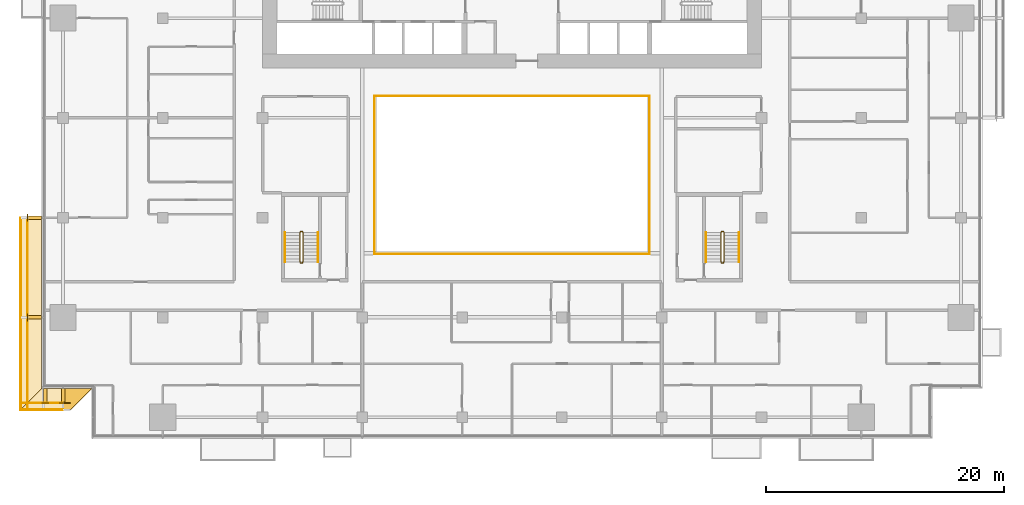
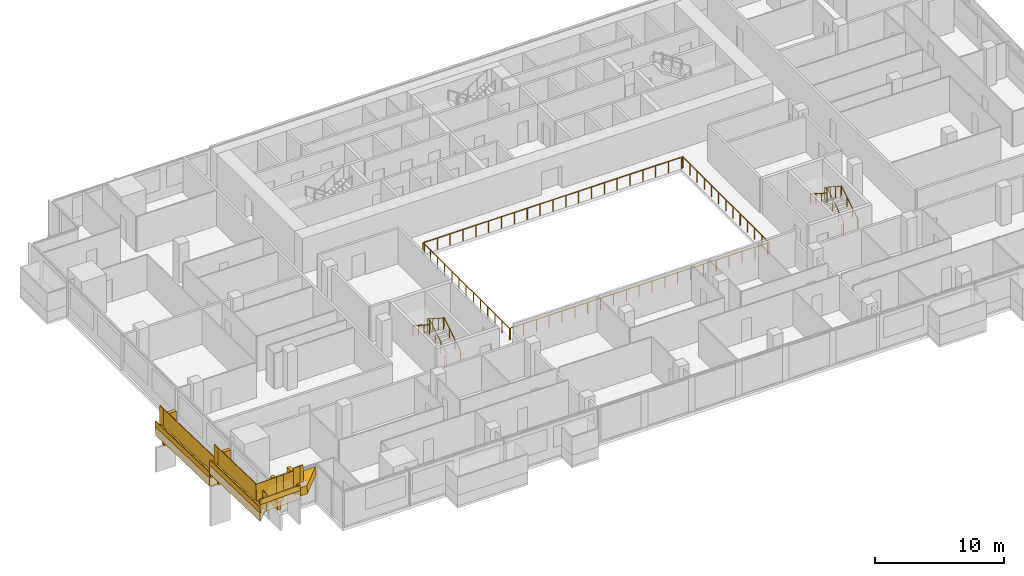
# One storey, part 26 of 29: 18 railings, 11 coverings.
"""IFC4 building model written with IfcOpenShell, lengths in metres."""

from ifc_helpers import new_model, si_unit, direction, frame, origin, origin_2d, place, context, subcontext, project, spatial, polyline, rectangle, circle, outline, extrude, material, layer, layer_set, type_object, element, save


model = new_model("IFC4")

# Units and contexts
model_context = context("Model", 3, precision=1e-05, world=origin(), true_north=direction((0.0, 1.0)))
body_context = subcontext(model_context, "Body", "Model", "MODEL_VIEW")
ifc_project = project(units=[si_unit("LENGTHUNIT", "METRE"), si_unit("AREAUNIT", "SQUARE_METRE"), si_unit("VOLUMEUNIT", "CUBIC_METRE"), si_unit("PLANEANGLEUNIT", "RADIAN"), si_unit("MASSUNIT", "GRAM", prefix="KILO")], contexts=[model_context])

# Site, building, storey
site_placement = place(None, origin())
site = spatial("IfcSite", under=ifc_project, at=site_placement, CompositionType="ELEMENT")
building_placement = place(site_placement, origin())
building = spatial("IfcBuilding", under=site, at=building_placement, Name="Saffron Gate Tower", CompositionType="ELEMENT")
storey_placement = place(building_placement, frame((0.0, 0.0, 55.199951171875)))
storey = spatial("IfcBuildingStorey", under=building, at=storey_placement, Name="L12", CompositionType="ELEMENT", Elevation=55.199951171875)

# Railings
ifc_material_1 = material(Name="Stainless steel and laminated glass", Category="steel")
railing_type_1 = type_object("IfcRailingType", Name="AG1 Atrium edge guard 1100", PredefinedType="GUARDRAIL", material=ifc_material_1)
railing_1_placement = place(storey_placement, frame((76.02001953125, 45.5400390625, 0.0)))
element("IfcRailing", 1, at=railing_1_placement, inside=storey, type_object=railing_type_1, Name="Guard A2-1", PredefinedType="GUARDRAIL", context=body_context, shape_type="SweptSolid", body=[
    extrude(circle(Radius=0.02392578125, at=origin_2d()), frame((0.0, 0.0, 1.076171875), z_axis=(0.0, 1.0, 0.0), x_axis=(-1.0, 0.0, 0.0)), (0.0, 0.0, 1.0), 13.320068359375),
    extrude(circle(Radius=0.02099609375, at=origin_2d()), origin(), (0.0, 0.0, 1.0), 1.052001953125),
    extrude(circle(Radius=0.02099609375, at=origin_2d()), frame((0.0, 1.110107421875, 0.0)), (0.0, 0.0, 1.0), 1.052001953125),
    extrude(circle(Radius=0.02099609375, at=origin_2d()), frame((0.0, 2.219970703125, 0.0)), (0.0, 0.0, 1.0), 1.052001953125),
    extrude(circle(Radius=0.02099609375, at=origin_2d()), frame((0.0, 3.330078125, 0.0)), (0.0, 0.0, 1.0), 1.052001953125),
    extrude(circle(Radius=0.02099609375, at=origin_2d()), frame((0.0, 4.43994140625, 0.0)), (0.0, 0.0, 1.0), 1.052001953125),
    extrude(circle(Radius=0.02099609375, at=origin_2d()), frame((0.0, 5.550048828125, 0.0)), (0.0, 0.0, 1.0), 1.052001953125),
    extrude(circle(Radius=0.02099609375, at=origin_2d()), frame((0.0, 6.66015625, 0.0)), (0.0, 0.0, 1.0), 1.052001953125),
    extrude(circle(Radius=0.02099609375, at=origin_2d()), frame((0.0, 7.77001953125, 0.0)), (0.0, 0.0, 1.0), 1.052001953125),
    extrude(circle(Radius=0.02099609375, at=origin_2d()), frame((0.0, 8.880126953125, 0.0)), (0.0, 0.0, 1.0), 1.052001953125),
    extrude(circle(Radius=0.02099609375, at=origin_2d()), frame((0.0, 9.989990234375, 0.0)), (0.0, 0.0, 1.0), 1.052001953125),
    extrude(circle(Radius=0.02099609375, at=origin_2d()), frame((0.0, 11.10009765625, 0.0)), (0.0, 0.0, 1.0), 1.052001953125),
    extrude(circle(Radius=0.02099609375, at=origin_2d()), frame((0.0, 12.2099609375, 0.0)), (0.0, 0.0, 1.0), 1.052001953125),
    extrude(circle(Radius=0.02099609375, at=origin_2d()), frame((0.0, 13.320068359375, 0.0)), (0.0, 0.0, 1.0), 1.052001953125),
])
railing_2_placement = place(storey_placement, frame((76.139892578125, 58.860107421875, 0.0)))
element("IfcRailing", 2, at=railing_2_placement, inside=storey, type_object=railing_type_1, Name="Guard A2-2", PredefinedType="GUARDRAIL", context=body_context, shape_type="SweptSolid", body=[
    extrude(circle(Radius=0.02392578125, at=origin_2d()), frame((0.0, 0.0, 1.076171875), z_axis=(1.0, 0.0, 0.0), x_axis=(0.0, 1.0, 0.0)), (0.0, 0.0, 1.0), 22.920166015625),
    extrude(circle(Radius=0.02099609375, at=origin_2d()), origin(), (0.0, 0.0, 1.0), 1.052001953125),
    extrude(circle(Radius=0.02099609375, at=origin_2d()), frame((1.14599609375, 0.0, 0.0)), (0.0, 0.0, 1.0), 1.052001953125),
    extrude(circle(Radius=0.02099609375, at=origin_2d()), frame((2.2919921875, 0.0, 0.0)), (0.0, 0.0, 1.0), 1.052001953125),
    extrude(circle(Radius=0.02099609375, at=origin_2d()), frame((3.43798828125, 0.0, 0.0)), (0.0, 0.0, 1.0), 1.052001953125),
    extrude(circle(Radius=0.02099609375, at=origin_2d()), frame((4.583984375, 0.0, 0.0)), (0.0, 0.0, 1.0), 1.052001953125),
    extrude(circle(Radius=0.02099609375, at=origin_2d()), frame((5.72998046875, 0.0, 0.0)), (0.0, 0.0, 1.0), 1.052001953125),
    extrude(circle(Radius=0.02099609375, at=origin_2d()), frame((6.8759765625, 0.0, 0.0)), (0.0, 0.0, 1.0), 1.052001953125),
    extrude(circle(Radius=0.02099609375, at=origin_2d()), frame((8.02197265625, 0.0, 0.0)), (0.0, 0.0, 1.0), 1.052001953125),
    extrude(circle(Radius=0.02099609375, at=origin_2d()), frame((9.16796875, 0.0, 0.0)), (0.0, 0.0, 1.0), 1.052001953125),
    extrude(circle(Radius=0.02099609375, at=origin_2d()), frame((10.31396484375, 0.0, 0.0)), (0.0, 0.0, 1.0), 1.052001953125),
    extrude(circle(Radius=0.02099609375, at=origin_2d()), frame((11.4599609375, 0.0, 0.0)), (0.0, 0.0, 1.0), 1.052001953125),
    extrude(circle(Radius=0.02099609375, at=origin_2d()), frame((12.606201171875, 0.0, 0.0)), (0.0, 0.0, 1.0), 1.052001953125),
    extrude(circle(Radius=0.02099609375, at=origin_2d()), frame((13.752197265625, 0.0, 0.0)), (0.0, 0.0, 1.0), 1.052001953125),
    extrude(circle(Radius=0.02099609375, at=origin_2d()), frame((14.898193359375, 0.0, 0.0)), (0.0, 0.0, 1.0), 1.052001953125),
    extrude(circle(Radius=0.02099609375, at=origin_2d()), frame((16.044189453125, 0.0, 0.0)), (0.0, 0.0, 1.0), 1.052001953125),
    extrude(circle(Radius=0.02099609375, at=origin_2d()), frame((17.190185546875, 0.0, 0.0)), (0.0, 0.0, 1.0), 1.052001953125),
    extrude(circle(Radius=0.02099609375, at=origin_2d()), frame((18.336181640625, 0.0, 0.0)), (0.0, 0.0, 1.0), 1.052001953125),
    extrude(circle(Radius=0.02099609375, at=origin_2d()), frame((19.482177734375, 0.0, 0.0)), (0.0, 0.0, 1.0), 1.052001953125),
    extrude(circle(Radius=0.02099609375, at=origin_2d()), frame((20.628173828125, 0.0, 0.0)), (0.0, 0.0, 1.0), 1.052001953125),
    extrude(circle(Radius=0.02099609375, at=origin_2d()), frame((21.774169921875, 0.0, 0.0)), (0.0, 0.0, 1.0), 1.052001953125),
    extrude(circle(Radius=0.02099609375, at=origin_2d()), frame((22.920166015625, 0.0, 0.0)), (0.0, 0.0, 1.0), 1.052001953125),
])
railing_3_placement = place(storey_placement, frame((99.179931640625, 58.860107421875, 0.0)))
element("IfcRailing", 3, at=railing_3_placement, inside=storey, type_object=railing_type_1, Name="Guard A2-3", PredefinedType="GUARDRAIL", context=body_context, shape_type="SweptSolid", body=[
    extrude(circle(Radius=0.02392578125, at=origin_2d()), frame((0.0, 0.0, 1.076171875), z_axis=(0.0, -1.0, 0.0), x_axis=(1.0, 0.0, 0.0)), (0.0, 0.0, 1.0), 13.320068359375),
    extrude(circle(Radius=0.02099609375, at=origin_2d()), origin(), (0.0, 0.0, 1.0), 1.052001953125),
    extrude(circle(Radius=0.02099609375, at=origin_2d()), frame((0.0, -1.110107421875, 0.0)), (0.0, 0.0, 1.0), 1.052001953125),
    extrude(circle(Radius=0.02099609375, at=origin_2d()), frame((0.0, -2.219970703125, 0.0)), (0.0, 0.0, 1.0), 1.052001953125),
    extrude(circle(Radius=0.02099609375, at=origin_2d()), frame((0.0, -3.330078125, 0.0)), (0.0, 0.0, 1.0), 1.052001953125),
    extrude(circle(Radius=0.02099609375, at=origin_2d()), frame((0.0, -4.43994140625, 0.0)), (0.0, 0.0, 1.0), 1.052001953125),
    extrude(circle(Radius=0.02099609375, at=origin_2d()), frame((0.0, -5.550048828125, 0.0)), (0.0, 0.0, 1.0), 1.052001953125),
    extrude(circle(Radius=0.02099609375, at=origin_2d()), frame((0.0, -6.66015625, 0.0)), (0.0, 0.0, 1.0), 1.052001953125),
    extrude(circle(Radius=0.02099609375, at=origin_2d()), frame((0.0, -7.77001953125, 0.0)), (0.0, 0.0, 1.0), 1.052001953125),
    extrude(circle(Radius=0.02099609375, at=origin_2d()), frame((0.0, -8.880126953125, 0.0)), (0.0, 0.0, 1.0), 1.052001953125),
    extrude(circle(Radius=0.02099609375, at=origin_2d()), frame((0.0, -9.989990234375, 0.0)), (0.0, 0.0, 1.0), 1.052001953125),
    extrude(circle(Radius=0.02099609375, at=origin_2d()), frame((0.0, -11.10009765625, 0.0)), (0.0, 0.0, 1.0), 1.052001953125),
    extrude(circle(Radius=0.02099609375, at=origin_2d()), frame((0.0, -12.2099609375, 0.0)), (0.0, 0.0, 1.0), 1.052001953125),
    extrude(circle(Radius=0.02099609375, at=origin_2d()), frame((0.0, -13.320068359375, 0.0)), (0.0, 0.0, 1.0), 1.052001953125),
])
railing_4_placement = place(storey_placement, frame((99.06005859375, 45.5400390625, 0.0)))
element("IfcRailing", 4, at=railing_4_placement, inside=storey, type_object=railing_type_1, Name="Guard A2-4", PredefinedType="GUARDRAIL", context=body_context, shape_type="SweptSolid", body=[
    extrude(circle(Radius=0.02392578125, at=origin_2d()), frame((0.0, 0.0, 1.076171875), z_axis=(-1.0, 0.0, 0.0), x_axis=(0.0, -1.0, 0.0)), (0.0, 0.0, 1.0), 22.920166015625),
    extrude(circle(Radius=0.02099609375, at=origin_2d()), origin(), (0.0, 0.0, 1.0), 1.052001953125),
    extrude(circle(Radius=0.02099609375, at=origin_2d()), frame((-1.14599609375, 0.0, 0.0)), (0.0, 0.0, 1.0), 1.052001953125),
    extrude(circle(Radius=0.02099609375, at=origin_2d()), frame((-2.2919921875, 0.0, 0.0)), (0.0, 0.0, 1.0), 1.052001953125),
    extrude(circle(Radius=0.02099609375, at=origin_2d()), frame((-3.43798828125, 0.0, 0.0)), (0.0, 0.0, 1.0), 1.052001953125),
    extrude(circle(Radius=0.02099609375, at=origin_2d()), frame((-4.583984375, 0.0, 0.0)), (0.0, 0.0, 1.0), 1.052001953125),
    extrude(circle(Radius=0.02099609375, at=origin_2d()), frame((-5.72998046875, 0.0, 0.0)), (0.0, 0.0, 1.0), 1.052001953125),
    extrude(circle(Radius=0.02099609375, at=origin_2d()), frame((-6.8759765625, 0.0, 0.0)), (0.0, 0.0, 1.0), 1.052001953125),
    extrude(circle(Radius=0.02099609375, at=origin_2d()), frame((-8.02197265625, 0.0, 0.0)), (0.0, 0.0, 1.0), 1.052001953125),
    extrude(circle(Radius=0.02099609375, at=origin_2d()), frame((-9.16796875, 0.0, 0.0)), (0.0, 0.0, 1.0), 1.052001953125),
    extrude(circle(Radius=0.02099609375, at=origin_2d()), frame((-10.31396484375, 0.0, 0.0)), (0.0, 0.0, 1.0), 1.052001953125),
    extrude(circle(Radius=0.02099609375, at=origin_2d()), frame((-11.4599609375, 0.0, 0.0)), (0.0, 0.0, 1.0), 1.052001953125),
    extrude(circle(Radius=0.02099609375, at=origin_2d()), frame((-12.606201171875, 0.0, 0.0)), (0.0, 0.0, 1.0), 1.052001953125),
    extrude(circle(Radius=0.02099609375, at=origin_2d()), frame((-13.752197265625, 0.0, 0.0)), (0.0, 0.0, 1.0), 1.052001953125),
    extrude(circle(Radius=0.02099609375, at=origin_2d()), frame((-14.898193359375, 0.0, 0.0)), (0.0, 0.0, 1.0), 1.052001953125),
    extrude(circle(Radius=0.02099609375, at=origin_2d()), frame((-16.044189453125, 0.0, 0.0)), (0.0, 0.0, 1.0), 1.052001953125),
    extrude(circle(Radius=0.02099609375, at=origin_2d()), frame((-17.190185546875, 0.0, 0.0)), (0.0, 0.0, 1.0), 1.052001953125),
    extrude(circle(Radius=0.02099609375, at=origin_2d()), frame((-18.336181640625, 0.0, 0.0)), (0.0, 0.0, 1.0), 1.052001953125),
    extrude(circle(Radius=0.02099609375, at=origin_2d()), frame((-19.482177734375, 0.0, 0.0)), (0.0, 0.0, 1.0), 1.052001953125),
    extrude(circle(Radius=0.02099609375, at=origin_2d()), frame((-20.628173828125, 0.0, 0.0)), (0.0, 0.0, 1.0), 1.052001953125),
    extrude(circle(Radius=0.02099609375, at=origin_2d()), frame((-21.774169921875, 0.0, 0.0)), (0.0, 0.0, 1.0), 1.052001953125),
    extrude(circle(Radius=0.02099609375, at=origin_2d()), frame((-22.920166015625, 0.0, 0.0)), (0.0, 0.0, 1.0), 1.052001953125),
])
railing_type_2 = type_object("IfcRailingType", Name="CR1 Stair guard 1100", PredefinedType="GUARDRAIL", material=ifc_material_1)
railing_5_placement = place(storey_placement, frame((69.800048828125, 44.800048828125, 0.0)))
element("IfcRailing", 5, at=railing_5_placement, inside=storey, type_object=railing_type_2, Name="L12 ST-D stair guard 1", PredefinedType="GUARDRAIL", context=body_context, shape_type="SweptSolid", body=[
    extrude(circle(Radius=0.02392578125, at=origin_2d()), frame((0.0, 0.0, 1.076171875), z_axis=(1.0, 0.0, 0.0), x_axis=(0.0, 1.0, 0.0)), (0.0, 0.0, 1.0), 0.14990234375),
    extrude(circle(Radius=0.02392578125, at=origin_2d()), frame((0.14990234375, 0.0, 1.076171875), z_axis=(0.258847668887, 0.258847668887, 0.930588936439), x_axis=(-0.707106781187, 0.707106781187, 0.0)), (0.0, 0.0, 1.0), 0.193359375),
    extrude(circle(Radius=0.02392578125, at=origin_2d()), frame((0.199951171875, 0.050048828125, 1.255859375), z_axis=(0.0, 0.841162588446, 0.540782303519), x_axis=(-1.0, 0.0, 0.0)), (0.0, 0.0, 1.0), 2.995849609375),
    extrude(circle(Radius=0.02392578125, at=origin_2d()), frame((0.199951171875, 2.570068359375, 2.8759765625), z_axis=(-0.708833529934, 0.705375805398, 0.0), x_axis=(-0.705375805398, -0.708833529934, 0.0)), (0.0, 0.0, 1.0), 0.070556640625),
    extrude(circle(Radius=0.02392578125, at=origin_2d()), frame((0.14990234375, 2.619873046875, 2.8759765625), z_axis=(-1.0, 0.0, 0.0), x_axis=(0.0, -1.0, 0.0)), (0.0, 0.0, 1.0), 0.14990234375),
    extrude(circle(Radius=0.02392578125, at=origin_2d()), frame((0.0, 2.619873046875, 2.8759765625), z_axis=(-0.258932105505, -0.257669022063, 0.930892496375), x_axis=(0.705375805398, -0.708833529934, 0.0)), (0.0, 0.0, 1.0), 0.193359375),
    extrude(circle(Radius=0.02392578125, at=origin_2d()), frame((-0.050048828125, 2.570068359375, 3.05615234375), z_axis=(0.0, -0.841162588446, 0.540782303519), x_axis=(1.0, 0.0, 0.0)), (0.0, 0.0, 1.0), 2.995849609375),
    extrude(circle(Radius=0.02099609375, at=origin_2d()), origin(), (0.0, 0.0, 1.0), 1.052001953125),
    extrude(circle(Radius=0.02099609375, at=origin_2d()), frame((0.14990234375, 0.0, 0.0)), (0.0, 0.0, 1.0), 1.052001953125),
    extrude(circle(Radius=0.02099609375, at=origin_2d()), frame((0.199951171875, 0.050048828125, 0.179931640625)), (0.0, 0.0, 1.0), 1.052001953125),
    extrude(circle(Radius=0.02099609375, at=origin_2d()), frame((0.199951171875, 0.89013671875, 0.719970703125)), (0.0, 0.0, 1.0), 1.052001953125),
    extrude(circle(Radius=0.02099609375, at=origin_2d()), frame((0.199951171875, 1.72998046875, 1.260009765625)), (0.0, 0.0, 1.0), 1.052001953125),
    extrude(circle(Radius=0.02099609375, at=origin_2d()), frame((0.199951171875, 2.570068359375, 1.800048828125)), (0.0, 0.0, 1.0), 1.052001953125),
    extrude(circle(Radius=0.02099609375, at=origin_2d()), frame((0.14990234375, 2.619873046875, 1.800048828125)), (0.0, 0.0, 1.0), 1.052001953125),
    extrude(circle(Radius=0.02099609375, at=origin_2d()), frame((0.0, 2.619873046875, 1.800048828125)), (0.0, 0.0, 1.0), 1.052001953125),
    extrude(circle(Radius=0.02099609375, at=origin_2d()), frame((-0.050048828125, 2.570068359375, 1.97998046875)), (0.0, 0.0, 1.0), 1.052001953125),
    extrude(circle(Radius=0.02099609375, at=origin_2d()), frame((-0.050048828125, 1.72998046875, 2.52001953125)), (0.0, 0.0, 1.0), 1.052001953125),
    extrude(circle(Radius=0.02099609375, at=origin_2d()), frame((-0.050048828125, 0.89013671875, 3.06005859375)), (0.0, 0.0, 1.0), 1.052001953125),
    extrude(circle(Radius=0.02099609375, at=origin_2d()), frame((-0.050048828125, 0.050048828125, 3.60009765625)), (0.0, 0.0, 1.0), 1.052001953125),
])
railing_6_placement = place(storey_placement, frame((105.25, 44.800048828125, 0.0)))
element("IfcRailing", 6, at=railing_6_placement, inside=storey, type_object=railing_type_2, Name="L12 ST-E stair guard 1", PredefinedType="GUARDRAIL", context=body_context, shape_type="SweptSolid", body=[
    extrude(circle(Radius=0.02392578125, at=origin_2d()), frame((0.0, 0.0, 1.076171875), z_axis=(1.0, 0.0, 0.0), x_axis=(0.0, 1.0, 0.0)), (0.0, 0.0, 1.0), 0.14990234375),
    extrude(circle(Radius=0.02392578125, at=origin_2d()), frame((0.14990234375, 0.0, 1.076171875), z_axis=(0.258847668887, 0.258847668887, 0.930588936439), x_axis=(-0.707106781187, 0.707106781187, 0.0)), (0.0, 0.0, 1.0), 0.193359375),
    extrude(circle(Radius=0.02392578125, at=origin_2d()), frame((0.199951171875, 0.050048828125, 1.255859375), z_axis=(0.0, 0.841162588446, 0.540782303519), x_axis=(-1.0, 0.0, 0.0)), (0.0, 0.0, 1.0), 2.995849609375),
    extrude(circle(Radius=0.02392578125, at=origin_2d()), frame((0.199951171875, 2.570068359375, 2.8759765625), z_axis=(-0.708833529934, 0.705375805398, 0.0), x_axis=(-0.705375805398, -0.708833529934, 0.0)), (0.0, 0.0, 1.0), 0.070556640625),
    extrude(circle(Radius=0.02392578125, at=origin_2d()), frame((0.14990234375, 2.619873046875, 2.8759765625), z_axis=(-1.0, 0.0, 0.0), x_axis=(0.0, -1.0, 0.0)), (0.0, 0.0, 1.0), 0.14990234375),
    extrude(circle(Radius=0.02392578125, at=origin_2d()), frame((0.0, 2.619873046875, 2.8759765625), z_axis=(-0.258932105505, -0.257669022063, 0.930892496375), x_axis=(0.705375805398, -0.708833529934, 0.0)), (0.0, 0.0, 1.0), 0.193359375),
    extrude(circle(Radius=0.02392578125, at=origin_2d()), frame((-0.050048828125, 2.570068359375, 3.05615234375), z_axis=(0.0, -0.841162588446, 0.540782303519), x_axis=(1.0, 0.0, 0.0)), (0.0, 0.0, 1.0), 2.995849609375),
    extrude(circle(Radius=0.02099609375, at=origin_2d()), origin(), (0.0, 0.0, 1.0), 1.052001953125),
    extrude(circle(Radius=0.02099609375, at=origin_2d()), frame((0.14990234375, 0.0, 0.0)), (0.0, 0.0, 1.0), 1.052001953125),
    extrude(circle(Radius=0.02099609375, at=origin_2d()), frame((0.199951171875, 0.050048828125, 0.179931640625)), (0.0, 0.0, 1.0), 1.052001953125),
    extrude(circle(Radius=0.02099609375, at=origin_2d()), frame((0.199951171875, 0.89013671875, 0.719970703125)), (0.0, 0.0, 1.0), 1.052001953125),
    extrude(circle(Radius=0.02099609375, at=origin_2d()), frame((0.199951171875, 1.72998046875, 1.260009765625)), (0.0, 0.0, 1.0), 1.052001953125),
    extrude(circle(Radius=0.02099609375, at=origin_2d()), frame((0.199951171875, 2.570068359375, 1.800048828125)), (0.0, 0.0, 1.0), 1.052001953125),
    extrude(circle(Radius=0.02099609375, at=origin_2d()), frame((0.14990234375, 2.619873046875, 1.800048828125)), (0.0, 0.0, 1.0), 1.052001953125),
    extrude(circle(Radius=0.02099609375, at=origin_2d()), frame((0.0, 2.619873046875, 1.800048828125)), (0.0, 0.0, 1.0), 1.052001953125),
    extrude(circle(Radius=0.02099609375, at=origin_2d()), frame((-0.050048828125, 2.570068359375, 1.97998046875)), (0.0, 0.0, 1.0), 1.052001953125),
    extrude(circle(Radius=0.02099609375, at=origin_2d()), frame((-0.050048828125, 1.72998046875, 2.52001953125)), (0.0, 0.0, 1.0), 1.052001953125),
    extrude(circle(Radius=0.02099609375, at=origin_2d()), frame((-0.050048828125, 0.89013671875, 3.06005859375)), (0.0, 0.0, 1.0), 1.052001953125),
    extrude(circle(Radius=0.02099609375, at=origin_2d()), frame((-0.050048828125, 0.050048828125, 3.60009765625)), (0.0, 0.0, 1.0), 1.052001953125),
])
ifc_material_2 = material(Name="Stainless steel", Category="steel")
railing_type_3 = type_object("IfcRailingType", Name="CR2 Stair handrail 900", PredefinedType="HANDRAIL", material=ifc_material_2)
railing_7_placement = place(storey_placement, frame((71.25, 44.85009765625, 0.179931640625)))
element("IfcRailing", 7, at=railing_7_placement, inside=storey, type_object=railing_type_3, Name="L12 ST-D stair handrail 1", PredefinedType="HANDRAIL", context=body_context, shape_type="SweptSolid", body=[
    extrude(circle(Radius=0.02392578125, at=origin_2d()), frame((0.0, 0.0, 0.8759765625), z_axis=(0.0, 0.841162588446, 0.540782303519), x_axis=(-1.0, 0.0, 0.0)), (0.0, 0.0, 1.0), 2.995849609375),
    extrude(circle(Radius=0.02099609375, at=origin_2d()), origin(), (0.0, 0.0, 1.0), 0.851806640625),
    extrude(circle(Radius=0.02099609375, at=origin_2d()), frame((0.0, 0.840087890625, 0.5400390625)), (0.0, 0.0, 1.0), 0.851806640625),
    extrude(circle(Radius=0.02099609375, at=origin_2d()), frame((0.0, 1.679931640625, 1.080078125)), (0.0, 0.0, 1.0), 0.851806640625),
    extrude(circle(Radius=0.02099609375, at=origin_2d()), frame((0.0, 2.52001953125, 1.6201171875)), (0.0, 0.0, 1.0), 0.851806640625),
])
railing_8_placement = place(storey_placement, frame((68.5, 47.3701171875, 1.97998046875)))
element("IfcRailing", 8, at=railing_8_placement, inside=storey, type_object=railing_type_3, Name="L12 ST-D stair handrail 2", PredefinedType="HANDRAIL", context=body_context, shape_type="SweptSolid", body=[
    extrude(circle(Radius=0.02392578125, at=origin_2d()), frame((0.0, 0.0, 0.8759765625), z_axis=(0.0, -0.841162588446, 0.540782303519), x_axis=(1.0, 0.0, 0.0)), (0.0, 0.0, 1.0), 2.995849609375),
    extrude(circle(Radius=0.02099609375, at=origin_2d()), origin(), (0.0, 0.0, 1.0), 0.851806640625),
    extrude(circle(Radius=0.02099609375, at=origin_2d()), frame((0.0, -0.840087890625, 0.5400390625)), (0.0, 0.0, 1.0), 0.851806640625),
    extrude(circle(Radius=0.02099609375, at=origin_2d()), frame((0.0, -1.679931640625, 1.080078125)), (0.0, 0.0, 1.0), 0.851806640625),
    extrude(circle(Radius=0.02099609375, at=origin_2d()), frame((0.0, -2.52001953125, 1.6201171875)), (0.0, 0.0, 1.0), 0.851806640625),
])
railing_9_placement = place(storey_placement, frame((106.699951171875, 44.85009765625, 0.179931640625)))
element("IfcRailing", 9, at=railing_9_placement, inside=storey, type_object=railing_type_3, Name="L12 ST-E stair handrail 1", PredefinedType="HANDRAIL", context=body_context, shape_type="SweptSolid", body=[
    extrude(circle(Radius=0.02392578125, at=origin_2d()), frame((0.0, 0.0, 0.8759765625), z_axis=(0.0, 0.841162588446, 0.540782303519), x_axis=(-1.0, 0.0, 0.0)), (0.0, 0.0, 1.0), 2.995849609375),
    extrude(circle(Radius=0.02099609375, at=origin_2d()), origin(), (0.0, 0.0, 1.0), 0.851806640625),
    extrude(circle(Radius=0.02099609375, at=origin_2d()), frame((0.0, 0.840087890625, 0.5400390625)), (0.0, 0.0, 1.0), 0.851806640625),
    extrude(circle(Radius=0.02099609375, at=origin_2d()), frame((0.0, 1.679931640625, 1.080078125)), (0.0, 0.0, 1.0), 0.851806640625),
    extrude(circle(Radius=0.02099609375, at=origin_2d()), frame((0.0, 2.52001953125, 1.6201171875)), (0.0, 0.0, 1.0), 0.851806640625),
])
railing_10_placement = place(storey_placement, frame((103.949951171875, 47.3701171875, 1.97998046875)))
element("IfcRailing", 10, at=railing_10_placement, inside=storey, type_object=railing_type_3, Name="L12 ST-E stair handrail 2", PredefinedType="HANDRAIL", context=body_context, shape_type="SweptSolid", body=[
    extrude(circle(Radius=0.02392578125, at=origin_2d()), frame((0.0, 0.0, 0.8759765625), z_axis=(0.0, -0.841162588446, 0.540782303519), x_axis=(1.0, 0.0, 0.0)), (0.0, 0.0, 1.0), 2.995849609375),
    extrude(circle(Radius=0.02099609375, at=origin_2d()), origin(), (0.0, 0.0, 1.0), 0.851806640625),
    extrude(circle(Radius=0.02099609375, at=origin_2d()), frame((0.0, -0.840087890625, 0.5400390625)), (0.0, 0.0, 1.0), 0.851806640625),
    extrude(circle(Radius=0.02099609375, at=origin_2d()), frame((0.0, -1.679931640625, 1.080078125)), (0.0, 0.0, 1.0), 0.851806640625),
    extrude(circle(Radius=0.02099609375, at=origin_2d()), frame((0.0, -2.52001953125, 1.6201171875)), (0.0, 0.0, 1.0), 0.851806640625),
])

# Coverings
ifc_material_3 = material(Name="Timber, thermally modified ash", Category="wood")
ifc_layer_1 = layer(ifc_material_3, 0.800048828125)
ifc_layer_set_1 = layer_set([ifc_layer_1], Name="LD1 ledge timber")
covering_type_1 = type_object("IfcCoveringType", Name="LD1 ledge timber", PredefinedType="CLADDING", material=ifc_layer_set_1)
covering_1_placement = place(storey_placement, frame((48.0, 48.60009765625, 0.4140625), z_axis=(0.0, 0.028790339263, 0.999585472266), x_axis=(0.0, -0.999585472266, 0.028790339263)))
element("IfcCovering", 11, at=covering_1_placement, inside=storey, type_object=covering_type_1, Name="LEDGE", PredefinedType="CLADDING", context=body_context, shape_type="SweptSolid", body=[
    extrude(outline(polyline([(0.0, 0.0), (8.403630022085892, 0.0), (8.403630022085892, -1.800048828125), (0.0, -1.800048828125), (0.0, 0.0)])), origin(), (0.0, 0.0, -1.0), 0.800048828125),
])
covering_2_placement = place(storey_placement, frame((48.0, 40.199951171875, 1.8564453125), z_axis=(-2.391759e-05, 0.028789477025, 0.999585496814), x_axis=(1.72e-10, -0.9995854971, 0.028789477033)))
element("IfcCovering", 12, at=covering_2_placement, inside=storey, type_object=covering_type_1, Name="LEDGE", PredefinedType="CLADDING", context=body_context, shape_type="SweptSolid", body=[
    extrude(outline(polyline([(0.0, 0.0), (6.002489288687248, 8.470329472543003e-22), (7.80328207139786, -1.8000488299785034), (-3.0879623774719253e-10, -1.8000488276101398), (0.0, 0.0)])), origin(), (0.0, 0.0, -1.0), 0.800048828125),
])
covering_3_placement = place(storey_placement, frame((48.0, 34.199951171875, 2.88671875), z_axis=(-0.028741681402, 0.0, 0.999586872538), x_axis=(0.999586872538, 0.0, 0.028741681402)))
element("IfcCovering", 13, at=covering_3_placement, inside=storey, type_object=covering_type_1, Name="LEDGE", PredefinedType="CLADDING", context=body_context, shape_type="SweptSolid", body=[
    extrude(outline(polyline([(0.0, 0.0), (1.8007927850779974, 0.0), (1.8007927850779974, -1.800048828125), (-1.8007927850779974, -1.800048828125), (0.0, 0.0)])), origin(), (0.0, 0.0, -1.0), 0.800048828125),
])
covering_4_placement = place(storey_placement, frame((49.800048828125, 34.199951171875, 3.19580078125), z_axis=(-0.028798988267, 2.8677152e-05, 0.999585222706), x_axis=(0.999585223117, 6.17e-10, 0.028798988279)))
element("IfcCovering", 14, at=covering_4_placement, inside=storey, type_object=covering_type_1, Name="LEDGE", PredefinedType="CLADDING", context=body_context, shape_type="SweptSolid", body=[
    extrude(outline(polyline([(0.0, 0.0), (2.400896693585025, 4.235164736271502e-22), (0.6001039103565923, -1.8000488292351675), (-1.1098572600196767e-09, -1.8000488273848385), (0.0, 0.0)])), origin(), (0.0, 0.0, -1.0), 0.800048828125),
])
ifc_layer_2 = layer(ifc_material_3, 0.080078125)
ifc_layer_set_2 = layer_set([ifc_layer_2], Name="LD2 ledge planter trough")
covering_type_2 = type_object("IfcCoveringType", Name="LD2 ledge planter trough", PredefinedType="CLADDING", material=ifc_layer_set_2)
covering_5_placement = place(storey_placement, frame((46.199951171875, 48.60009765625, 0.4140625), z_axis=(-1.0, 0.0, 0.0), x_axis=(0.0, -0.999585472266, 0.028790339263)))
element("IfcCovering", 15, at=covering_5_placement, inside=storey, type_object=covering_type_2, Name="LEDGE planter trough", PredefinedType="CLADDING", context=body_context, shape_type="SweptSolid", body=[
    extrude(outline(polyline([(0.0, 0.0), (8.403630022085892, 0.0), (8.418025191717298, 0.4997927361329725), (0.014395169631405694, 0.4997927361329725), (0.0, 0.0)])), origin(), (0.0, 0.0, -1.0), 0.080078125),
])
covering_6_placement = place(storey_placement, frame((46.199951171875, 40.199951171875, 1.8564453125), z_axis=(-1.0, 0.0, 0.0), x_axis=(0.0, -0.999585655924, 0.028783962047)))
element("IfcCovering", 16, at=covering_6_placement, inside=storey, type_object=covering_type_2, Name="LEDGE planter trough", PredefinedType="CLADDING", context=body_context, shape_type="SweptSolid", body=[
    extrude(outline(polyline([(0.0, 0.0), (7.803282071825423, 2.7755575615628914e-17), (7.817674052849086, 0.4997928279619612), (0.014391981023662846, 0.4997928279619612), (0.0, 0.0)])), origin(), (0.0, 0.0, -1.0), 0.080078125),
])
covering_7_placement = place(storey_placement, frame((46.199951171875, 32.39990234375, 2.8349609375), z_axis=(0.0, -1.0, 0.0), x_axis=(0.999586872538, 0.0, 0.028741681402)))
element("IfcCovering", 17, at=covering_7_placement, inside=storey, type_object=covering_type_2, Name="LEDGE planter trough", PredefinedType="CLADDING", context=body_context, shape_type="SweptSolid", body=[
    extrude(outline(polyline([(0.0, 0.0), (3.601585570155995, 0.0), (3.6159564108570694, 0.49979343626896944), (0.014370840701074394, 0.4997934362689694), (0.0, 0.0)])), origin(), (0.0, 0.0, -1.0), 0.080078125),
])
ifc_layer_3 = layer(ifc_material_3, 0.300048828125)
ifc_layer_set_3 = layer_set([ifc_layer_3], Name="LD3 ledge riser fin")
covering_type_3 = type_object("IfcCoveringType", Name="LD3 ledge riser fin", PredefinedType="CLADDING", material=ifc_layer_set_3)
for number, where, z_axis, x_axis, name in (
    (18, (47.43994140625, 48.60009765625, -1.586181640625), (0.0, 0.0, 1.0), (0.0, -1.0, 0.0), "LEDGE riser fin"),
    (19, (47.43994140625, 40.199951171875, -0.143798828125), (0.0, 0.0, 1.0), (0.0, -1.0, 0.0), "LEDGE riser fin"),
):
    element("IfcCovering", number, at=place(storey_placement, frame(where, z_axis=z_axis, x_axis=x_axis)), inside=storey, type_object=covering_type_3, Name=name, PredefinedType="CLADDING", context=body_context, shape_type="SweptSolid", body=[
        extrude(rectangle(XDim=0.300048828125, YDim=1.1201171875, at=origin_2d()), origin(), (0.0, 0.0, 1.0), 2.900390625),
    ])
covering_8_placement = place(storey_placement, frame((48.300048828125, 33.639892578125, 1.2294921875), z_axis=(0.0, 0.0, 1.0), x_axis=(1.0, 0.0, 0.0)))
element("IfcCovering", 20, at=covering_8_placement, inside=storey, type_object=covering_type_3, Name="LEDGE riser fin", PredefinedType="CLADDING", context=body_context, shape_type="SweptSolid", body=[
    extrude(rectangle(XDim=0.300048828125, YDim=1.1201171875, at=origin_2d()), origin(), (0.0, 0.0, 1.0), 2.557373046875),
])
covering_9_placement = place(storey_placement, frame((49.800048828125, 33.639892578125, 2.138671875), z_axis=(0.0, 0.0, 1.0), x_axis=(1.0, 0.0, 0.0)))
element("IfcCovering", 21, at=covering_9_placement, inside=storey, type_object=covering_type_3, Name="LEDGE riser fin", PredefinedType="CLADDING", context=body_context, shape_type="SweptSolid", body=[
    extrude(rectangle(XDim=0.300048828125, YDim=1.1201171875, at=origin_2d()), origin(), (0.0, 0.0, 1.0), 1.957275390625),
])

# Railings
railing_type_4 = type_object("IfcRailingType", Name="LG1 ledge balustrade", PredefinedType="BALUSTRADE", material=ifc_material_3)
railing_11_placement = place(storey_placement, frame((46.800048828125, 48.60009765625, 0.4140625)))
element("IfcRailing", 22, at=railing_11_placement, inside=storey, type_object=railing_type_4, Name="LEDGE BALUSTRADE", PredefinedType="BALUSTRADE", context=body_context, shape_type="SweptSolid", body=[
    extrude(rectangle(XDim=0.06005859375, YDim=1.60009765625, at=origin_2d()), frame((0.0, 0.0, 0.800048828125), z_axis=(0.0, -0.999585472266, 0.028790339263), x_axis=(1.0, 0.0, 0.0)), (0.0, 0.0, 1.0), 8.403564453125),
])
railing_12_placement = place(storey_placement, frame((46.800048828125, 48.89990234375, -0.7861328125)))
element("IfcRailing", 23, at=railing_12_placement, inside=storey, type_object=railing_type_4, Name="LEDGE BALUSTRADE", PredefinedType="BALUSTRADE", context=body_context, shape_type="SweptSolid", body=[
    extrude(rectangle(XDim=0.06005859375, YDim=2.80029296875, at=origin_2d()), frame((0.0, 0.0, 1.400146484375), z_axis=(0.0, -1.0, 0.0), x_axis=(1.0, 0.0, 0.0)), (0.0, 0.0, 1.0), 0.599853515625),
])
railing_13_placement = place(storey_placement, frame((46.800048828125, 40.199951171875, 1.8564453125)))
element("IfcRailing", 24, at=railing_13_placement, inside=storey, type_object=railing_type_4, Name="LEDGE BALUSTRADE", PredefinedType="BALUSTRADE", context=body_context, shape_type="SweptSolid", body=[
    extrude(rectangle(XDim=0.06005859375, YDim=1.60009765625, at=origin_2d()), frame((0.0, 0.0, 0.800048828125), z_axis=(0.0, -0.999585655924, 0.028783962047), x_axis=(1.0, 0.0, 0.0)), (0.0, 0.0, 1.0), 7.80322265625),
])
railing_14_placement = place(storey_placement, frame((46.800048828125, 40.5, 0.656005859375)))
element("IfcRailing", 25, at=railing_14_placement, inside=storey, type_object=railing_type_4, Name="LEDGE BALUSTRADE", PredefinedType="BALUSTRADE", context=body_context, shape_type="SweptSolid", body=[
    extrude(rectangle(XDim=0.06005859375, YDim=2.80029296875, at=origin_2d()), frame((0.0, 0.0, 1.400146484375), z_axis=(0.0, -1.0, 0.0), x_axis=(1.0, 0.0, 0.0)), (0.0, 0.0, 1.0), 0.60009765625),
])
railing_15_placement = place(storey_placement, frame((46.199951171875, 33.0, 2.8349609375)))
element("IfcRailing", 26, at=railing_15_placement, inside=storey, type_object=railing_type_4, Name="LEDGE BALUSTRADE", PredefinedType="BALUSTRADE", context=body_context, shape_type="SweptSolid", body=[
    extrude(rectangle(XDim=0.06005859375, YDim=1.60009765625, at=origin_2d()), frame((0.0, 0.0, 0.800048828125), z_axis=(0.999586872538, 0.0, 0.028741681402), x_axis=(0.0, 1.0, 0.0)), (0.0, 0.0, 1.0), 3.6015625),
])
railing_16_placement = place(storey_placement, frame((48.0, 33.0, 2.029296875)))
element("IfcRailing", 27, at=railing_16_placement, inside=storey, type_object=railing_type_4, Name="LEDGE BALUSTRADE", PredefinedType="BALUSTRADE", context=body_context, shape_type="SweptSolid", body=[
    extrude(rectangle(XDim=0.06005859375, YDim=2.45751953125, at=origin_2d()), frame((0.0, 0.0, 1.228759765625), z_axis=(1.0, 0.0, 0.0), x_axis=(0.0, 1.0, 0.0)), (0.0, 0.0, 1.0), 0.60009765625),
])
railing_17_placement = place(storey_placement, frame((49.800048828125, 33.0, 3.19580078125)))
element("IfcRailing", 28, at=railing_17_placement, inside=storey, type_object=railing_type_4, Name="LEDGE BALUSTRADE", PredefinedType="BALUSTRADE", context=body_context, shape_type="SweptSolid", body=[
    extrude(rectangle(XDim=0.06005859375, YDim=1.60009765625, at=origin_2d()), frame((0.0, 0.0, 0.800048828125), z_axis=(0.999582742162, 0.0, 0.028884971385), x_axis=(0.0, 1.0, 0.0)), (0.0, 0.0, 1.0), 0.60009765625),
])
railing_18_placement = place(storey_placement, frame((49.5, 33.0, 2.9384765625)))
element("IfcRailing", 29, at=railing_18_placement, inside=storey, type_object=railing_type_4, Name="LEDGE BALUSTRADE", PredefinedType="BALUSTRADE", context=body_context, shape_type="SweptSolid", body=[
    extrude(rectangle(XDim=0.06005859375, YDim=1.857177734375, at=origin_2d()), frame((0.0, 0.0, 0.9287109375), z_axis=(1.0, 0.0, 0.0), x_axis=(0.0, 1.0, 0.0)), (0.0, 0.0, 1.0), 0.60009765625),
])

save(model, "model.ifc")
